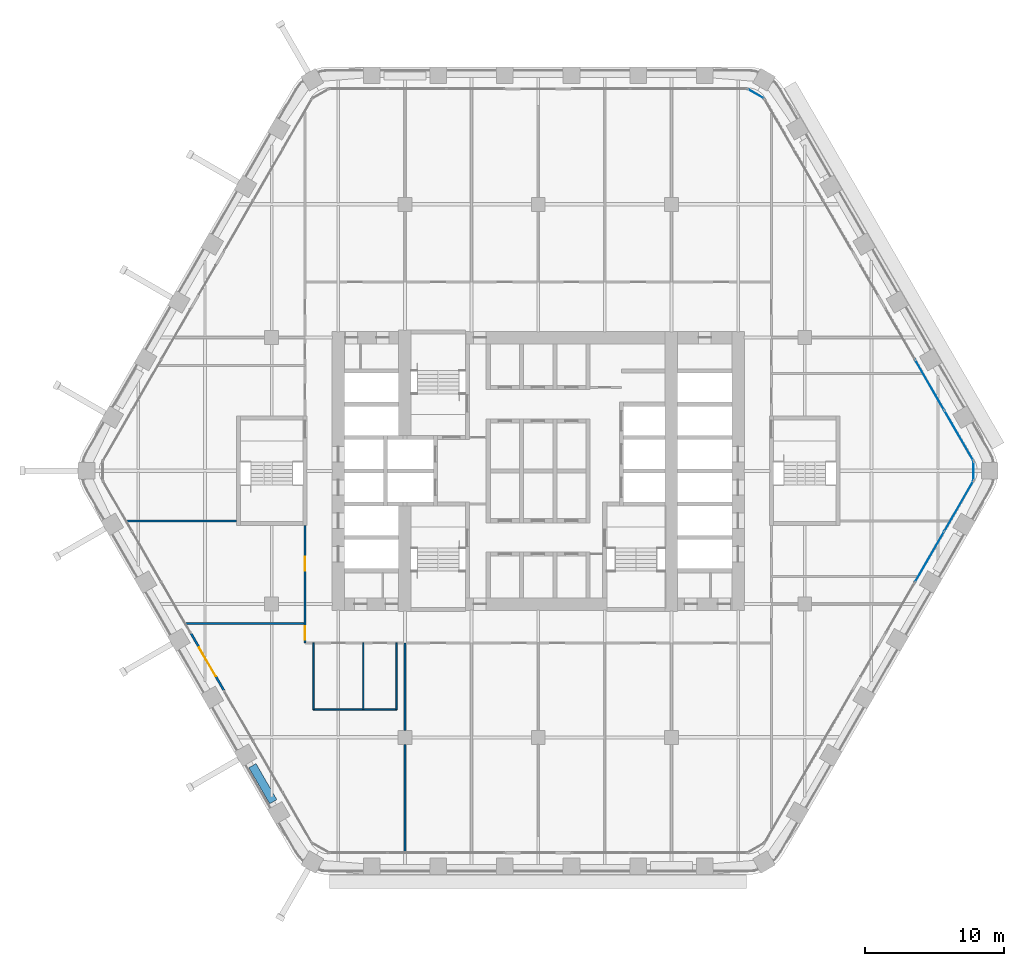
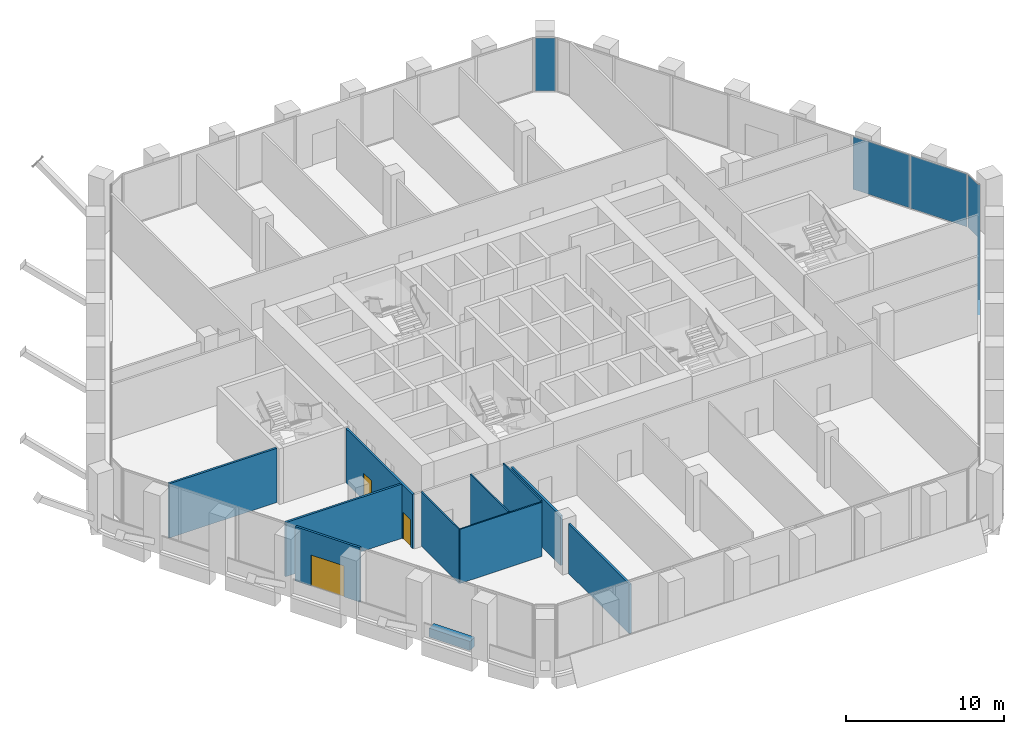
# One storey, part 14 of 27: 11 walls, 6 plates, 3 doors, 3 openings, 4 elements without a shape of their own.
"""IFC4 building model written with IfcOpenShell, lengths in metres."""

from ifc_helpers import new_model, si_unit, direction, frame, frame_2d, origin, origin_2d, place, context, subcontext, project, spatial, rectangle, extrude, material, layer, layer_set, type_object, element, fill, aggregate, save


model = new_model("IFC4")

# Units and contexts
model_context = context("Model", 3, precision=1e-05, world=origin(), true_north=direction((0.0, 1.0)))
body_context = subcontext(model_context, "Body", "Model", "MODEL_VIEW")
ifc_project = project(units=[si_unit("LENGTHUNIT", "METRE"), si_unit("AREAUNIT", "SQUARE_METRE"), si_unit("VOLUMEUNIT", "CUBIC_METRE"), si_unit("PLANEANGLEUNIT", "RADIAN"), si_unit("MASSUNIT", "GRAM", prefix="KILO")], contexts=[model_context])

# Site, building, storey
site_placement = place(None, origin())
site = spatial("IfcSite", under=ifc_project, at=site_placement, CompositionType="ELEMENT")
building_placement = place(site_placement, origin())
building = spatial("IfcBuilding", under=site, at=building_placement, Name="Kolab Exchange Tower", CompositionType="ELEMENT")
storey_placement = place(building_placement, frame((0.0, 0.0, 118.39990234375)))
storey = spatial("IfcBuildingStorey", under=building, at=storey_placement, Name="L23", CompositionType="ELEMENT", Elevation=118.39990234375)

# Curtain wall, plates
ifc_material_1 = material(Name="Aluminium EN AW-6063 T6", Category="aluminium")
curtain_wall_type = type_object("IfcCurtainWallType", Name="UNITISED LOWER MID ZONE CURTAIN WALL", PredefinedType="NOTDEFINED", material=ifc_material_1)
curtain_wall_1_placement = place(storey_placement, origin())
curtain_wall_1 = element("IfcCurtainWall", 1, at=curtain_wall_1_placement, inside=storey, type_object=curtain_wall_type, Name="cw/L23/F2-2", PredefinedType="NOTDEFINED")
ifc_material_2 = material(Name="Clear insulated glazing unit", Category="glass")
ifc_layer_1 = layer(ifc_material_2, 0.02587890625)
ifc_layer_set_1 = layer_set([ifc_layer_1], Name="Clear insulated glazing unit")
plate_type = type_object("IfcPlateType", Name="UNITISED LOWER MID ZONE GLASS PANEL 26", PredefinedType="CURTAIN_PANEL", material=ifc_layer_set_1)
plate_1_placement = place(storey_placement, frame((28.19873046875, 6.1953125, 0.06005859375), z_axis=(0.0, 0.0, 1.0), x_axis=(0.499999958358, -0.866025427826, 0.0)))
plate_1 = element("IfcPlate", 2, at=plate_1_placement, type_object=plate_type, Name="CW2 panel 2.1", PredefinedType="CURTAIN_PANEL", context=body_context, shape_type="SweptSolid", body=[
    extrude(rectangle(XDim=4.16259765625, YDim=0.02587890625, at=origin_2d()), origin(), (0.0, 0.0, 1.0), 4.080078125),
])
plate_2_placement = place(storey_placement, frame((30.302490234375, 2.551513671875, 0.06005859375), z_axis=(0.0, 0.0, 1.0), x_axis=(0.499999958358, -0.866025427826, 0.0)))
plate_2 = element("IfcPlate", 3, at=plate_2_placement, type_object=plate_type, Name="CW2 panel 3.1", PredefinedType="CURTAIN_PANEL", context=body_context, shape_type="SweptSolid", body=[
    extrude(rectangle(XDim=4.132568359375, YDim=0.02587890625, at=origin_2d()), origin(), (0.0, 0.0, 1.0), 4.080078125),
])
aggregate(curtain_wall_1, [plate_1, plate_2])

curtain_wall_2_placement = place(storey_placement, origin())
curtain_wall_2 = element("IfcCurtainWall", 4, at=curtain_wall_2_placement, inside=storey, type_object=curtain_wall_type, Name="cw/L23/F3-1", PredefinedType="NOTDEFINED")
plate_3_placement = place(storey_placement, frame((30.302490234375, -2.551513671875, 0.06005859375), z_axis=(0.0, 0.0, 1.0), x_axis=(-0.499999958358, -0.866025427826, 0.0)))
plate_3 = element("IfcPlate", 5, at=plate_3_placement, type_object=plate_type, Name="CW2 panel 1.1", PredefinedType="CURTAIN_PANEL", context=body_context, shape_type="SweptSolid", body=[
    extrude(rectangle(XDim=4.132568359375, YDim=0.02587890625, at=origin_2d()), origin(), (0.0, 0.0, 1.0), 4.080078125),
])
plate_4_placement = place(storey_placement, frame((28.19873046875, -6.1953125, 0.06005859375), z_axis=(0.0, 0.0, 1.0), x_axis=(-0.499999958358, -0.866025427826, 0.0)))
plate_4 = element("IfcPlate", 6, at=plate_4_placement, type_object=plate_type, Name="CW2 panel 2.1", PredefinedType="CURTAIN_PANEL", context=body_context, shape_type="SweptSolid", body=[
    extrude(rectangle(XDim=4.16259765625, YDim=0.02587890625, at=origin_2d()), origin(), (0.0, 0.0, 1.0), 4.080078125),
])
aggregate(curtain_wall_2, [plate_3, plate_4])

# Curtain wall, plate
curtain_wall_3_placement = place(storey_placement, origin())
curtain_wall_3 = element("IfcCurtainWall", 7, at=curtain_wall_3_placement, inside=storey, type_object=curtain_wall_type, Name="cw/L23/F1F2-corner", PredefinedType="NOTDEFINED")
plate_5_placement = place(storey_placement, frame((15.682861328125, 27.16357421875, 0.06005859375), z_axis=(0.0, 0.0, 1.0), x_axis=(0.866025390869, -0.50000002237, 0.0)))
plate_5 = element("IfcPlate", 8, at=plate_5_placement, type_object=plate_type, Name="CW2 panel 1.1", PredefinedType="CURTAIN_PANEL", context=body_context, shape_type="SweptSolid", body=[
    extrude(rectangle(XDim=1.300048828125, YDim=0.02587890625, at=origin_2d()), origin(), (0.0, 0.0, 1.0), 4.080078125),
])
aggregate(curtain_wall_3, [plate_5])

curtain_wall_4_placement = place(storey_placement, origin())
curtain_wall_4 = element("IfcCurtainWall", 9, at=curtain_wall_4_placement, inside=storey, type_object=curtain_wall_type, Name="cw/L23/F2F3-corner", PredefinedType="NOTDEFINED")
plate_6_placement = place(storey_placement, frame((31.36572265625, 0.0, 0.06005859375), z_axis=(0.0, 0.0, 1.0), x_axis=(0.0, -1.0, 0.0)))
plate_6 = element("IfcPlate", 10, at=plate_6_placement, type_object=plate_type, Name="CW2 panel 1.1", PredefinedType="CURTAIN_PANEL", context=body_context, shape_type="SweptSolid", body=[
    extrude(rectangle(XDim=1.300048828125, YDim=0.02587890625, at=origin_2d()), origin(), (0.0, 0.0, 1.0), 4.080078125),
])
aggregate(curtain_wall_4, [plate_6])

# Wall, opening, door
ifc_layer_2 = layer(ifc_material_1, 0.159912109375)
ifc_layer_set_2 = layer_set([ifc_layer_2], Name="Aluminium EN AW-6063 T6")
wall_type_1 = type_object("IfcWallType", Name="DOOR SURROUND WALL 160 ALUMINIUM FRAMED", PredefinedType="PARTITIONING", material=ifc_layer_set_2)
wall_1_placement = place(storey_placement, frame((-22.646728515625, -15.811767578125, 0.0), z_axis=(0.0, 0.0, 1.0), x_axis=(-0.499978080042, 0.866038058908, 0.0)))
wall_1 = element("IfcWall", 11, at=wall_1_placement, inside=storey, type_object=wall_type_1, Name="Door surround wall", PredefinedType="PARTITIONING", context=body_context, shape_type="SweptSolid", body=[
    extrude(rectangle(XDim=4.739990234375, YDim=0.159912109375, at=frame_2d((2.3701171875, 0.0))), origin(), (0.0, 0.0, 1.0), 4.2001953125),
])
opening_1_placement = place(wall_1_placement, frame((1.169921875, 0.0, 0.0)))
opening_1 = element("IfcOpeningElement", 12, at=opening_1_placement, cuts=wall_1, Name="Opening GD1-047", PredefinedType="OPENING", context=body_context, shape_type="SweptSolid", body=[
    extrude(rectangle(XDim=2.39990234375, YDim=2.39990234375, at=frame_2d((1.199951171875, 1.199951171875))), frame((0.0, 0.08984375, 0.0), z_axis=(0.0, -1.0, 0.0), x_axis=(1.0, 0.0, 0.0)), (0.0, 0.0, 1.0), 0.179931640625),
])
door_type_1 = type_object("IfcDoorType", Name="LOGGIA SLIDING GLASS DOOR 2400 X 2400", OperationType="DOUBLE_DOOR_SINGLE_SWING", PredefinedType="DOOR", material=ifc_material_1)
door_1_placement = place(opening_1_placement, origin())
door_1 = element("IfcDoor", 13, at=door_1_placement, inside=storey, type_object=door_type_1, Name="Loggia door", OperationType="DOUBLE_DOOR_SLIDING", OverallHeight=2.39990234375, OverallWidth=2.39990234375, PredefinedType="DOOR", context=body_context, shape_type="SweptSolid", body=[
    extrude(rectangle(XDim=2.39990234375, YDim=2.39990234375, at=frame_2d((1.199951171875, 1.199951171875))), frame((0.0, 0.02490234375, 0.0), z_axis=(0.0, -1.0, 0.0), x_axis=(1.0, 0.0, 0.0)), (0.0, 0.0, 1.0), 0.050048828125),
])
fill(opening_1, door_1)

# Walls
ifc_material_3 = material(Name="Gypsum board", Category="gypsum")
ifc_layer_3 = layer(ifc_material_3, 0.10009765625)
ifc_layer_set_3 = layer_set([ifc_layer_3], Name="Gypsum board")
wall_type_2 = type_object("IfcWallType", Name="PARTITION 100", PredefinedType="PARTITIONING", material=ifc_layer_set_3)
for number, where, z_axis, x_axis, name in (
    (14, (-10.199951171875, -17.199951171875, 0.0), (0.0, 0.0, 1.0), (0.0, 1.0, 0.0), "Partition 019"),
    (15, (-12.60009765625, -17.199951171875, 0.0), (0.0, 0.0, 1.0), (0.0, 1.0, 0.0), "Partition 021"),
):
    element("IfcWall", number, at=place(storey_placement, frame(where, z_axis=z_axis, x_axis=x_axis)), inside=storey, type_object=wall_type_2, Name=name, PredefinedType="PARTITIONING", context=body_context, shape_type="SweptSolid", body=[
        extrude(rectangle(XDim=4.800048828125, YDim=0.10009765625, at=frame_2d((2.39990234375, 0.0))), origin(), (0.0, 0.0, 1.0), 4.300048828125),
    ])
wall_2_placement = place(storey_placement, frame((-16.199951171875, -17.199951171875, 0.0), z_axis=(0.0, 0.0, 1.0), x_axis=(0.0, 1.0, 0.0)))
element("IfcWall", 16, at=wall_2_placement, inside=storey, type_object=wall_type_2, Name="Partition 023", PredefinedType="PARTITIONING", context=body_context, shape_type="SweptSolid", body=[
    extrude(rectangle(XDim=4.800048828125, YDim=0.10009765625, at=frame_2d((2.39990234375, 0.0))), origin(), (0.0, 0.0, 1.0), 4.2001953125),
])
wall_3_placement = place(storey_placement, frame((-16.199951171875, -17.199951171875, 0.0), z_axis=(0.0, 0.0, 1.0), x_axis=(1.0, 0.0, 0.0)))
element("IfcWall", 17, at=wall_3_placement, inside=storey, type_object=wall_type_2, Name="Partition 026", PredefinedType="PARTITIONING", context=body_context, shape_type="SweptSolid", body=[
    extrude(rectangle(XDim=6.0, YDim=0.10009765625, at=frame_2d((3.0, 0.0))), origin(), (0.0, 0.0, 1.0), 4.2001953125),
])
ifc_layer_4 = layer(ifc_material_3, 0.14990234375)
ifc_layer_set_4 = layer_set([ifc_layer_4], Name="Gypsum board")
wall_type_3 = type_object("IfcWallType", Name="PARTITION 150 FIRE-RATED", PredefinedType="PARTITIONING", material=ifc_layer_set_4)
wall_4_placement = place(storey_placement, frame((-9.60009765625, -27.428466796875, 0.0), z_axis=(0.0, 0.0, 1.0), x_axis=(0.0, 1.0, 0.0)))
element("IfcWall", 18, at=wall_4_placement, inside=storey, type_object=wall_type_3, Name="Partition 015", PredefinedType="PARTITIONING", context=body_context, shape_type="SweptSolid", body=[
    extrude(rectangle(XDim=7.728515625, YDim=0.14990234375, at=frame_2d((3.8642578125, 0.0))), origin(), (0.0, 0.0, 1.0), 3.843017578125),
])
wall_5_placement = place(storey_placement, frame((-9.60009765625, -18.699951171875, 0.0), z_axis=(0.0, 0.0, 1.0), x_axis=(0.0, 1.0, 0.0)))
element("IfcWall", 19, at=wall_5_placement, inside=storey, type_object=wall_type_3, Name="Partition 016", PredefinedType="PARTITIONING", context=body_context, shape_type="SweptSolid", body=[
    extrude(rectangle(XDim=6.300048828125, YDim=0.14990234375, at=frame_2d((3.14990234375, 0.0))), origin(), (0.0, 0.0, 1.0), 3.843017578125),
])

# Wall, openings, doors
wall_6_placement = place(storey_placement, frame((-16.800048828125, -12.39990234375, 0.0), z_axis=(0.0, 0.0, 1.0), x_axis=(0.0, 1.0, 0.0)))
wall_6 = element("IfcWall", 20, at=wall_6_placement, inside=storey, type_object=wall_type_3, Name="Partition 024", PredefinedType="PARTITIONING", context=body_context, shape_type="SweptSolid", body=[
    extrude(rectangle(XDim=8.449951171875, YDim=0.14990234375, at=frame_2d((4.22509765625, 0.0))), origin(), (0.0, 0.0, 1.0), 4.2001953125),
])
opening_2_placement = place(wall_6_placement, frame((0.215087890625, 0.0, 0.0)))
opening_2 = element("IfcOpeningElement", 21, at=opening_2_placement, cuts=wall_6, Name="Opening D1-323", PredefinedType="OPENING", context=body_context, shape_type="SweptSolid", body=[
    extrude(rectangle(XDim=1.0, YDim=2.10009765625, at=frame_2d((0.5, 1.050048828125))), frame((0.0, 0.0849609375, 0.0), z_axis=(0.0, -1.0, 0.0), x_axis=(1.0, 0.0, 0.0)), (0.0, 0.0, 1.0), 0.169921875),
])
opening_3_placement = place(wall_6_placement, frame((5.199951171875, 0.0, 0.0)))
opening_3 = element("IfcOpeningElement", 22, at=opening_3_placement, cuts=wall_6, Name="Opening D1-329", PredefinedType="OPENING", context=body_context, shape_type="SweptSolid", body=[
    extrude(rectangle(XDim=1.0, YDim=2.10009765625, at=frame_2d((0.5, 1.050048828125))), frame((0.0, 0.0849609375, 0.0), z_axis=(0.0, -1.0, 0.0), x_axis=(1.0, 0.0, 0.0)), (0.0, 0.0, 1.0), 0.169921875),
])
ifc_material_4 = material(Name="Steel S235", Category="steel")
door_type_2 = type_object("IfcDoorType", Name="FLUSH DOOR 1000 FD60", OperationType="SINGLE_SWING_LEFT", PredefinedType="DOOR", material=ifc_material_4)
door_2_placement = place(opening_2_placement, origin())
door_2 = element("IfcDoor", 23, at=door_2_placement, inside=storey, type_object=door_type_2, Name="Door L23-054", OperationType="SINGLE_SWING_RIGHT", OverallHeight=2.10009765625, OverallWidth=1.0, PredefinedType="DOOR", context=body_context, shape_type="SweptSolid", body=[
    extrude(rectangle(XDim=1.0, YDim=2.10009765625, at=frame_2d((0.5, 1.050048828125))), frame((0.0, 0.02490234375, 0.0), z_axis=(0.0, -1.0, 0.0), x_axis=(1.0, 0.0, 0.0)), (0.0, 0.0, 1.0), 0.050048828125),
])
fill(opening_2, door_2)
door_3_placement = place(opening_3_placement, origin())
door_3 = element("IfcDoor", 24, at=door_3_placement, inside=storey, type_object=door_type_2, Name="Door L23-066", OperationType="SINGLE_SWING_RIGHT", OverallHeight=2.10009765625, OverallWidth=1.0, PredefinedType="DOOR", context=body_context, shape_type="SweptSolid", body=[
    extrude(rectangle(XDim=1.0, YDim=2.10009765625, at=frame_2d((0.5, 1.050048828125))), frame((0.0, 0.02490234375, 0.0), z_axis=(0.0, -1.0, 0.0), x_axis=(1.0, 0.0, 0.0)), (0.0, 0.0, 1.0), 0.050048828125),
])
fill(opening_3, door_3)

# Walls
wall_7_placement = place(storey_placement, frame((-25.37841796875, -11.0, 0.0), z_axis=(0.0, 0.0, 1.0), x_axis=(1.0, 0.0, 0.0)))
element("IfcWall", 25, at=wall_7_placement, inside=storey, type_object=wall_type_3, Name="Partition 028", PredefinedType="PARTITIONING", context=body_context, shape_type="SweptSolid", body=[
    extrude(rectangle(XDim=8.578369140625, YDim=0.14990234375, at=frame_2d((4.2890625, 0.0))), origin(), (0.0, 0.0, 1.0), 4.2001953125),
])
wall_8_placement = place(storey_placement, frame((-29.65087890625, -3.60009765625, 0.0), z_axis=(0.0, 0.0, 1.0), x_axis=(1.0, 0.0, 0.0)))
element("IfcWall", 26, at=wall_8_placement, inside=storey, type_object=wall_type_3, Name="Partition 033", PredefinedType="PARTITIONING", context=body_context, shape_type="SweptSolid", body=[
    extrude(rectangle(XDim=7.90087890625, YDim=0.14990234375, at=frame_2d((3.950439453125, 0.0))), origin(), (0.0, 0.0, 1.0), 4.2001953125),
])
ifc_material_5 = material(Name="Granite facing", Category="masonry")
ifc_layer_5 = layer(ifc_material_5, 0.0400390625)
ifc_material_6 = material(Name="Concrete C40/50 precast", Category="concrete")
ifc_layer_6 = layer(ifc_material_6, 0.56005859375)
ifc_layer_set_5 = layer_set([ifc_layer_5, ifc_layer_6], Name="Concrete C40/50 precast")
wall_type_4 = type_object("IfcWallType", Name="PLANTER BOX 600 X 700 SOIL DEPTH 550", PredefinedType="USERDEFINED", material=ifc_layer_set_5)
wall_9_placement = place(storey_placement, frame((-19.087158203125, -23.837158203125, 0.0), z_axis=(0.0, 0.0, 1.0), x_axis=(-0.499990139034, 0.866031096941, 0.0)))
element("IfcWall", 27, at=wall_9_placement, inside=storey, type_object=wall_type_4, Name="Planter", ObjectType="PLANTER", PredefinedType="USERDEFINED", context=body_context, shape_type="SweptSolid", body=[
    extrude(rectangle(XDim=3.0, YDim=0.60009765625, at=frame_2d((1.5, 0.0))), origin(), (0.0, 0.0, 1.0), 0.7001953125),
])

save(model, "model.ifc")
